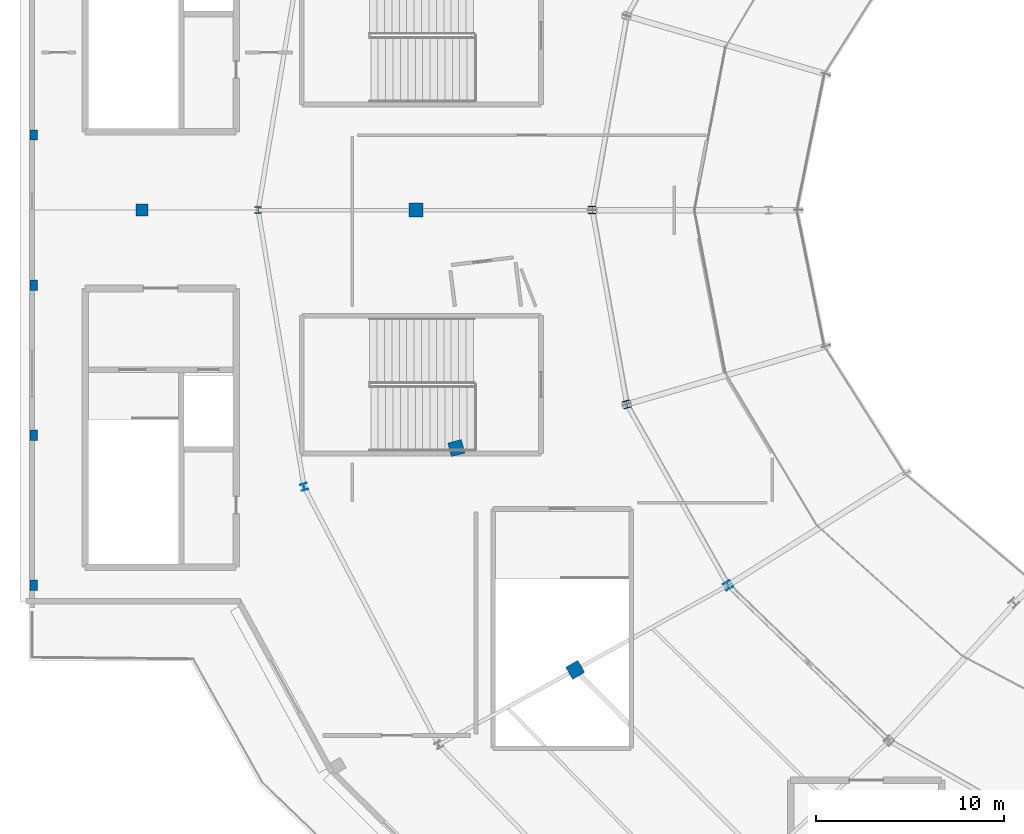
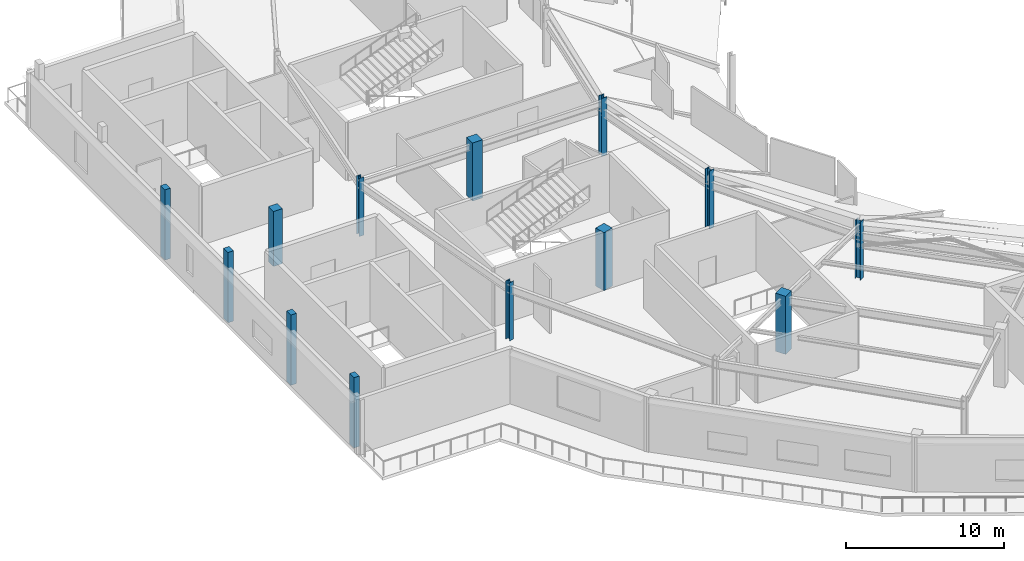
# One storey, part 2 of 63: 13 columns.
"""IFC4 building model written with IfcOpenShell, lengths in metres."""

from ifc_helpers import new_model, si_unit, direction, frame, origin, origin_2d, place, context, subcontext, project, spatial, rectangle, i_section, extrude, material, material_profile, profile_set, type_object, element, save


model = new_model("IFC4")

# Units and contexts
model_context = context("Model", 3, precision=1e-05, world=origin(), true_north=direction((0.0, 1.0)))
body_context = subcontext(model_context, "Body", "Model", "MODEL_VIEW")
ifc_project = project(units=[si_unit("LENGTHUNIT", "METRE"), si_unit("AREAUNIT", "SQUARE_METRE"), si_unit("VOLUMEUNIT", "CUBIC_METRE"), si_unit("PLANEANGLEUNIT", "RADIAN"), si_unit("MASSUNIT", "GRAM", prefix="KILO")], contexts=[model_context])

# Site, building, storey
site_placement = place(None, origin())
site = spatial("IfcSite", under=ifc_project, at=site_placement, CompositionType="ELEMENT")
building_placement = place(site_placement, origin())
building = spatial("IfcBuilding", under=site, at=building_placement, Name="Kalgoora Escarpment Arena", CompositionType="ELEMENT")
storey_placement = place(building_placement, frame((0.0, 0.0, 14.39990234375)))
storey = spatial("IfcBuildingStorey", under=building, at=storey_placement, Name="L03", CompositionType="ELEMENT", Elevation=14.39990234375)

# Columns
ifc_material_1 = material(Name="Structural steel Grade 350 (350 MPa)", Category="steel")
ifc_material_profile_1 = material_profile(ifc_material_1, i_section(OverallWidth=0.35009765625, OverallDepth=0.35009765625, WebThickness=0.013916015625, FlangeThickness=0.02392578125, at=origin_2d()))
ifc_profile_set_1 = profile_set([ifc_material_profile_1], Name="Structural steel Grade 350 (350 MPa)")
column_type_1 = type_object("IfcColumnType", Name="COL-COL-350WC197", PredefinedType="COLUMN", material=ifc_profile_set_1)
for number, where, z_axis, x_axis, name in (
    (1, (20.60009765625, 64.0, 0.0), (0.0, 0.0, 1.0), (-1.0, 0.0, 0.0), "L03 structural column COL-RCONC2-R13"),
    (2, (23.04638671875, 49.247314453125, 0.0), (0.0, 0.0, 1.0), (-0.965925826289, -0.258819045103, 0.0), "L03 structural column COL-RCONC2-R14"),
):
    element("IfcColumn", number, at=place(storey_placement, frame(where, z_axis=z_axis, x_axis=x_axis)), inside=storey, type_object=column_type_1, Name=name, PredefinedType="COLUMN", context=body_context, shape_type="SweptSolid", body=[
        extrude(i_section(OverallWidth=0.35009765625, OverallDepth=0.35009765625, WebThickness=0.013916015625, FlangeThickness=0.02392578125, at=origin_2d()), origin(), (0.0, 0.0, 1.0), 4.5),
    ])
ifc_material_2 = material(Name="Structural steel Grade 350 (350 MPa)", Category="steel")
ifc_material_profile_2 = material_profile(ifc_material_2, i_section(OverallWidth=0.39990234375, OverallDepth=0.39990234375, WebThickness=0.01611328125, FlangeThickness=0.028076171875, at=origin_2d()))
ifc_profile_set_2 = profile_set([ifc_material_profile_2], Name="Structural steel Grade 350 (350 MPa)")
column_type_2 = type_object("IfcColumnType", Name="COL-COL-400WC212", PredefinedType="COLUMN", material=ifc_profile_set_2)
for number, where, z_axis, x_axis, name in (
    (3, (38.39990234375, 64.0, 0.0), (0.0, 0.0, 1.0), (-1.0, 0.0, 0.0), "L03 structural column COL-RMAIN-R13"),
    (4, (40.239990234375, 53.647216796875, 0.0), (0.0, 0.0, 1.0), (-0.965925826289, -0.258819045103, 0.0), "L03 structural column COL-RMAIN-R14"),
    (5, (45.634521484375, 44.0, 0.0), (0.0, 0.0, 1.0), (-0.866025403784, -0.5, 0.0), "L03 structural column COL-RMAIN-R15"),
):
    element("IfcColumn", number, at=place(storey_placement, frame(where, z_axis=z_axis, x_axis=x_axis)), inside=storey, type_object=column_type_2, Name=name, PredefinedType="COLUMN", context=body_context, shape_type="SweptSolid", body=[
        extrude(i_section(OverallWidth=0.39990234375, OverallDepth=0.39990234375, WebThickness=0.01611328125, FlangeThickness=0.028076171875, at=origin_2d()), origin(), (0.0, 0.0, 1.0), 4.5),
    ])
ifc_material_3 = material(Name="Concrete N50 (fc' 50 MPa)", Category="concrete")
ifc_material_profile_3 = material_profile(ifc_material_3, rectangle(XDim=0.64990234375, YDim=0.64990234375, at=origin_2d()))
ifc_profile_set_3 = profile_set([ifc_material_profile_3], Name="Concrete N50 (fc' 50 MPa)")
column_type_3 = type_object("IfcColumnType", Name="COL-COL-RC650x650", PredefinedType="COLUMN", material=ifc_profile_set_3)
column_placement = place(storey_placement, frame((14.39990234375, 64.0, 0.0), z_axis=(0.0, 0.0, 1.0), x_axis=(-1.0, 0.0, 0.0)))
element("IfcColumn", 6, at=column_placement, inside=storey, type_object=column_type_3, Name="L03 structural column COL-RBASE1-R13", PredefinedType="COLUMN", context=body_context, shape_type="SweptSolid", body=[
    extrude(rectangle(XDim=0.64990234375, YDim=0.64990234375, at=origin_2d()), origin(), (0.0, 0.0, 1.0), 4.260009765625),
])
ifc_material_4 = material(Name="Concrete N50 (fc' 50 MPa)", Category="concrete")
ifc_material_profile_4 = material_profile(ifc_material_4, rectangle(XDim=0.75, YDim=0.75, at=origin_2d()))
ifc_profile_set_4 = profile_set([ifc_material_profile_4], Name="Concrete N50 (fc' 50 MPa)")
column_type_4 = type_object("IfcColumnType", Name="COL-COL-RC750x750", PredefinedType="COLUMN", material=ifc_profile_set_4)
for number, where, z_axis, x_axis, name in (
    (7, (29.0, 64.0, 0.0), (0.0, 0.0, 1.0), (-1.0, 0.0, 0.0), "L03 structural column COL-RCONC1-R13"),
    (8, (31.160400390625, 51.31787109375, 0.0), (0.0, 0.0, 1.0), (-0.965925826289, -0.258819045103, 0.0), "L03 structural column COL-RCONC1-R14"),
    (9, (37.493896484375, 39.5, 0.0), (0.0, 0.0, 1.0), (-0.866025403784, -0.5, 0.0), "L03 structural column COL-RCONC1-R15"),
):
    element("IfcColumn", number, at=place(storey_placement, frame(where, z_axis=z_axis, x_axis=x_axis)), inside=storey, type_object=column_type_4, Name=name, PredefinedType="COLUMN", context=body_context, shape_type="SweptSolid", body=[
        extrude(rectangle(XDim=0.75, YDim=0.75, at=origin_2d()), origin(), (0.0, 0.0, 1.0), 4.5),
    ])
ifc_material_5 = material(Name="Precast concrete N50 (fc' 50 MPa)", Category="concrete")
ifc_material_profile_5 = material_profile(ifc_material_5, rectangle(XDim=0.39990234375, YDim=0.550048828125, at=origin_2d()))
ifc_profile_set_5 = profile_set([ifc_material_profile_5], Name="Precast concrete N50 (fc' 50 MPa)")
column_type_5 = type_object("IfcColumnType", Name="COL-PIL-PC-PILASTER-550x400", PredefinedType="PILASTER", material=ifc_profile_set_5)
for number, where, z_axis, x_axis, name in (
    (10, (8.64990234375, 44.0, 0.0), (0.0, 0.0, 1.0), (1.0, 0.0, 0.0), "L03 fluted pilaster PIL-016"),
    (11, (8.64990234375, 52.0, 0.0), (0.0, 0.0, 1.0), (1.0, 0.0, 0.0), "L03 fluted pilaster PIL-017"),
    (12, (8.64990234375, 60.0, 0.0), (0.0, 0.0, 1.0), (1.0, 0.0, 0.0), "L03 fluted pilaster PIL-018"),
    (13, (8.64990234375, 68.0, 0.0), (0.0, 0.0, 1.0), (1.0, 0.0, 0.0), "L03 fluted pilaster PIL-019"),
):
    element("IfcColumn", number, at=place(storey_placement, frame(where, z_axis=z_axis, x_axis=x_axis)), inside=storey, type_object=column_type_5, Name=name, PredefinedType="PILASTER", context=body_context, shape_type="SweptSolid", body=[
        extrude(rectangle(XDim=0.39990234375, YDim=0.550048828125, at=origin_2d()), origin(), (0.0, 0.0, 1.0), 5.4501953125),
    ])

save(model, "model.ifc")
